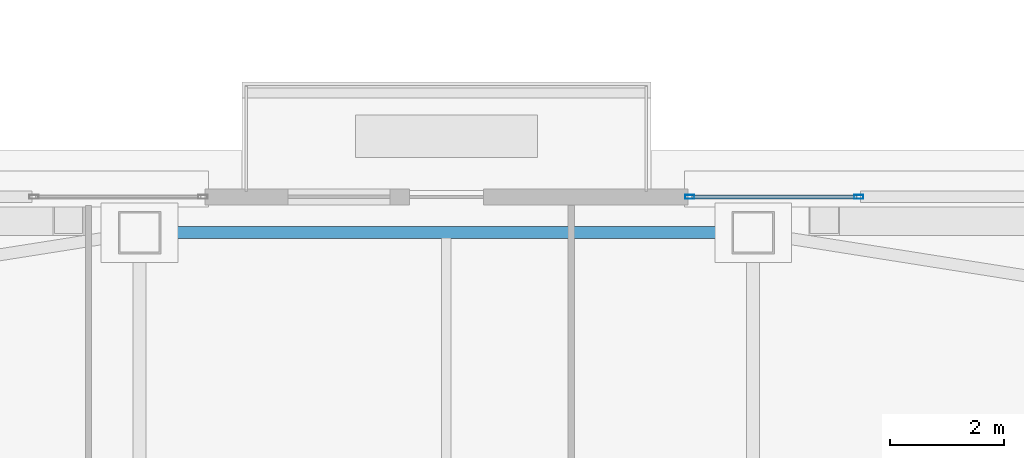
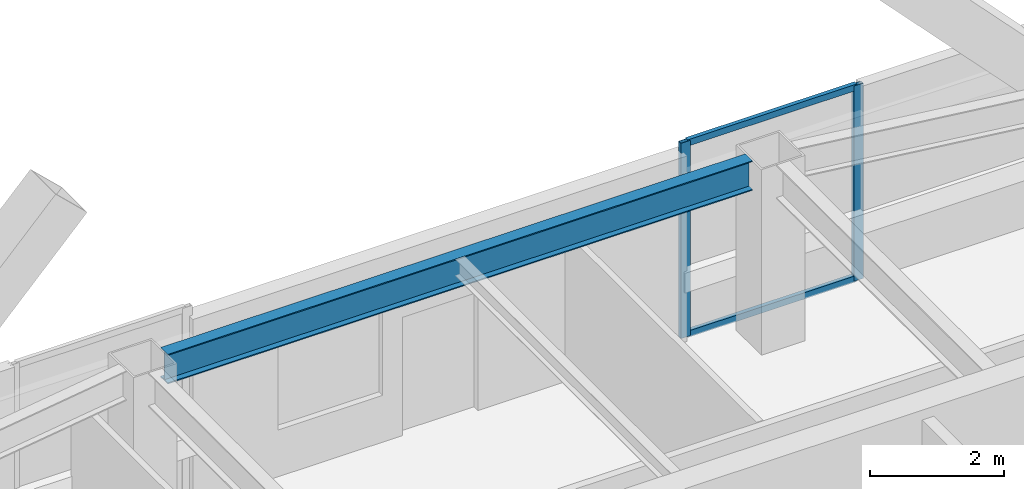
# One storey, part 14 of 37: 4 members, 1 beam, 1 element without a shape of its own.
"""IFC4 building model written with IfcOpenShell, lengths in metres."""

from ifc_helpers import new_model, si_unit, direction, frame, origin, origin_2d, place, context, subcontext, project, spatial, hollow_rectangle, i_section, extrude, material, material_profile, profile_set, type_object, element, aggregate, save


model = new_model("IFC4")

# Units and contexts
model_context = context("Model", 3, precision=1e-05, world=origin(), true_north=direction((0.0, 1.0)))
body_context = subcontext(model_context, "Body", "Model", "MODEL_VIEW")
ifc_project = project(units=[si_unit("LENGTHUNIT", "METRE"), si_unit("AREAUNIT", "SQUARE_METRE"), si_unit("VOLUMEUNIT", "CUBIC_METRE"), si_unit("PLANEANGLEUNIT", "RADIAN"), si_unit("MASSUNIT", "GRAM", prefix="KILO")], contexts=[model_context])

# Site, building, storey
site_placement = place(None, origin())
site = spatial("IfcSite", under=ifc_project, at=site_placement, CompositionType="ELEMENT")
building_placement = place(site_placement, origin())
building = spatial("IfcBuilding", under=site, at=building_placement, Name="Tashvorn Skyway Center", CompositionType="ELEMENT")
storey_placement = place(building_placement, frame((0.0, 0.0, 263.39990234375)))
storey = spatial("IfcBuildingStorey", under=building, at=storey_placement, Name="L71", CompositionType="ELEMENT", Elevation=263.39990234375)

# Beam
ifc_material_1 = material(Name="Steel ASTM A992 Grade 50", Category="steel")
ifc_material_profile_1 = material_profile(ifc_material_1, i_section(OverallWidth=0.2109375, OverallDepth=0.5390625, WebThickness=0.01171875, FlangeThickness=0.018798828125, at=origin_2d()), Name="W21X73")
ifc_profile_set_1 = profile_set([ifc_material_profile_1], Name="Steel ASTM A992 Grade 50")
beam_type = type_object("IfcBeamType", Name="BM-SPANDREL-W21X73", PredefinedType="SPANDREL", material=ifc_profile_set_1)
beam_placement = place(storey_placement, frame((47.030029296875, 46.550048828125, 3.1005859375), z_axis=(-1.0, 0.0, 0.0), x_axis=(0.0, -1.0, 0.0)))
element("IfcBeam", 1, at=beam_placement, inside=storey, type_object=beam_type, Name="Tower 1 L71 Spandrel Beam 08", PredefinedType="SPANDREL", context=body_context, shape_type="SweptSolid", body=[
    extrude(i_section(OverallWidth=0.2109375, OverallDepth=0.5390625, WebThickness=0.01171875, FlangeThickness=0.018798828125, at=origin_2d()), origin(), (0.0, 0.0, 1.0), 10.06005859375),
])

# Curtain wall, members
ifc_material_2 = material(Name="Thermally broken bronze-anodized aluminium 6063-T6", Category="aluminium")
curtain_wall_type = type_object("IfcCurtainWallType", Name="CW-CW-Z5", PredefinedType="NOTDEFINED", material=ifc_material_2)
curtain_wall_placement = place(storey_placement, origin())
curtain_wall = element("IfcCurtainWall", 2, at=curtain_wall_placement, inside=storey, type_object=curtain_wall_type, Name="Tower 1 L71 North Curtain Wall R Glazing Group 1", PredefinedType="NOTDEFINED")
ifc_material_profile_2 = material_profile(ifc_material_2, hollow_rectangle(XDim=0.070068359375, YDim=0.1650390625, WallThickness=0.00390625, at=origin_2d()), Name="ALU-MULL-70x165")
ifc_profile_set_2 = profile_set([ifc_material_profile_2], Name="Thermally broken bronze-anodized aluminium 6063-T6")
member_type_1 = type_object("IfcMemberType", Name="CWM-CW-Z5", PredefinedType="MULLION", material=ifc_profile_set_2)
member_1_placement = place(storey_placement, frame((46.284912109375, 47.179931640625, 0.0), z_axis=(0.0, 0.0, 1.0), x_axis=(0.0, 1.0, 0.0)))
member_1 = element("IfcMember", 3, at=member_1_placement, type_object=member_type_1, Name="CW-Z5 mullion 1", PredefinedType="MULLION", context=body_context, shape_type="SweptSolid", body=[
    extrude(hollow_rectangle(XDim=0.070068359375, YDim=0.1650390625, WallThickness=0.00390625, at=origin_2d()), origin(), (0.0, 0.0, 1.0), 3.550048828125),
])
member_2_placement = place(storey_placement, frame((49.25830078125, 47.179931640625, 0.0), z_axis=(0.0, 0.0, 1.0), x_axis=(0.0, 1.0, 0.0)))
member_2 = element("IfcMember", 4, at=member_2_placement, type_object=member_type_1, Name="CW-Z5 mullion 2", PredefinedType="MULLION", context=body_context, shape_type="SweptSolid", body=[
    extrude(hollow_rectangle(XDim=0.070068359375, YDim=0.1650390625, WallThickness=0.00390625, at=origin_2d()), origin(), (0.0, 0.0, 1.0), 3.550048828125),
])
ifc_material_profile_3 = material_profile(ifc_material_2, hollow_rectangle(XDim=0.070068359375, YDim=0.114990234375, WallThickness=0.00390625, at=origin_2d()), Name="ALU-TRAN-70x115")
ifc_profile_set_3 = profile_set([ifc_material_profile_3], Name="Thermally broken bronze-anodized aluminium 6063-T6")
member_type_2 = type_object("IfcMemberType", Name="CWT-CW-Z5", PredefinedType="USERDEFINED", material=ifc_profile_set_3)
member_3_placement = place(storey_placement, frame((46.320068359375, 47.179931640625, 0.03515625), z_axis=(1.0, 0.0, 0.0), x_axis=(0.0, 1.0, 0.0)))
member_3 = element("IfcMember", 5, at=member_3_placement, type_object=member_type_2, Name="CW-Z5 transom 1.1", ObjectType="TRANSOM", PredefinedType="USERDEFINED", context=body_context, shape_type="SweptSolid", body=[
    extrude(hollow_rectangle(XDim=0.070068359375, YDim=0.114990234375, WallThickness=0.00390625, at=origin_2d()), origin(), (0.0, 0.0, 1.0), 2.9033203125),
])
member_4_placement = place(storey_placement, frame((46.320068359375, 47.179931640625, 3.51513671875), z_axis=(1.0, 0.0, 0.0), x_axis=(0.0, 1.0, 0.0)))
member_4 = element("IfcMember", 6, at=member_4_placement, type_object=member_type_2, Name="CW-Z5 transom 1.2", ObjectType="TRANSOM", PredefinedType="USERDEFINED", context=body_context, shape_type="SweptSolid", body=[
    extrude(hollow_rectangle(XDim=0.070068359375, YDim=0.114990234375, WallThickness=0.00390625, at=origin_2d()), origin(), (0.0, 0.0, 1.0), 2.9033203125),
])
aggregate(curtain_wall, [member_1, member_2, member_3, member_4])

save(model, "model.ifc")
